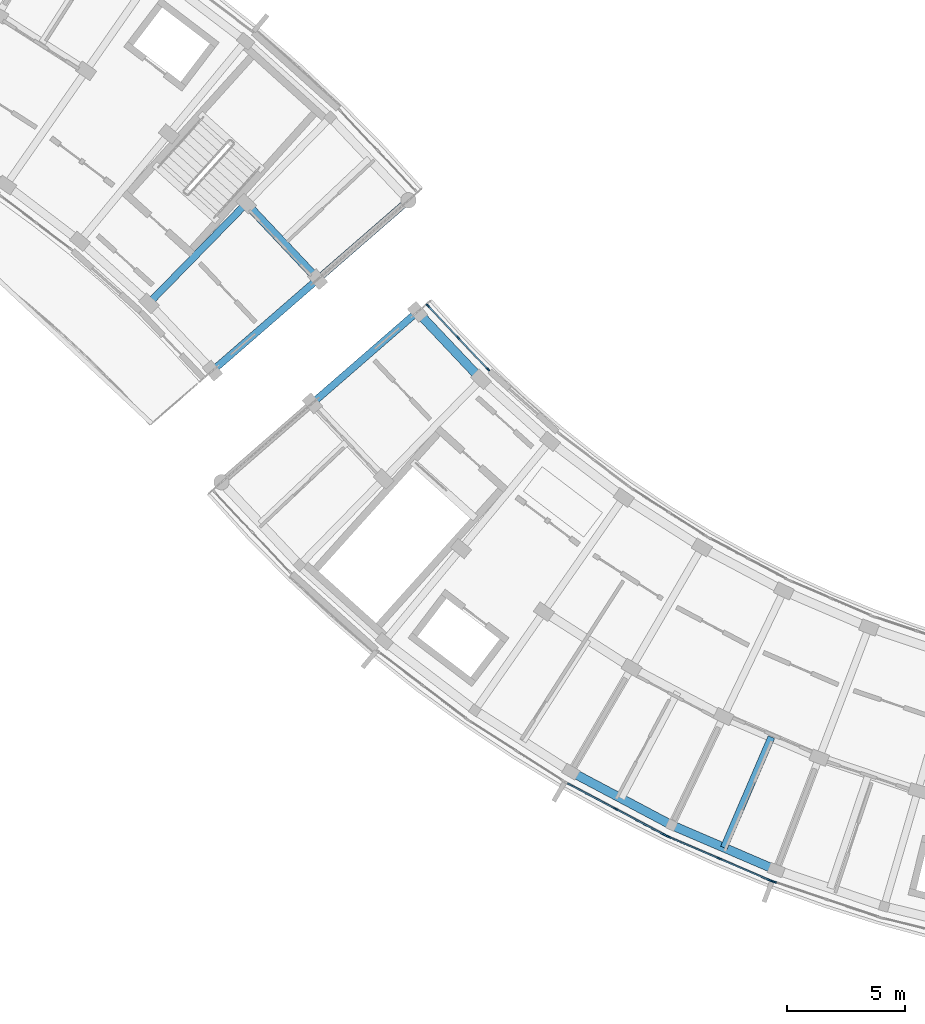
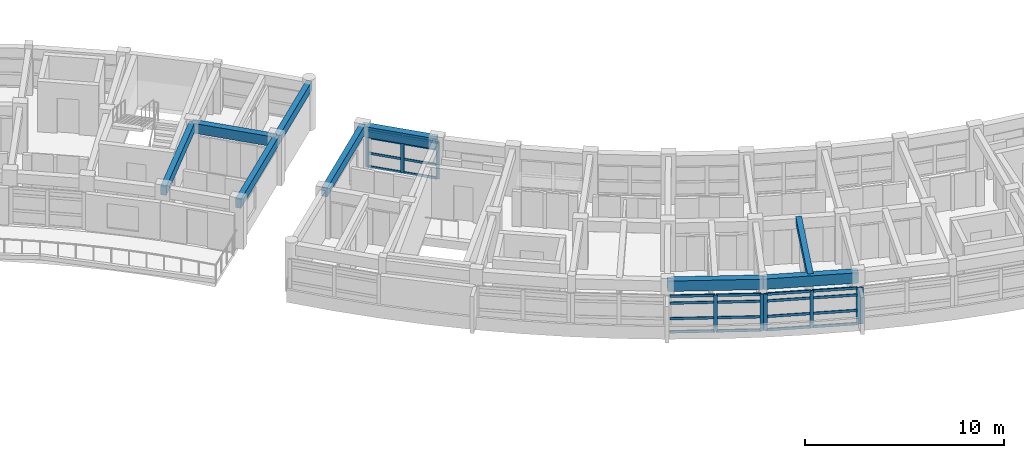
# One storey, part 9 of 38: 33 members, 9 beams, 4 elements without a shape of their own.
"""IFC4 building model written with IfcOpenShell, lengths in metres."""

from ifc_helpers import new_model, si_unit, direction, frame, origin, origin_2d, place, context, subcontext, project, spatial, rectangle, extrude, material, material_profile, profile_set, type_object, element, aggregate, save


model = new_model("IFC4")

# Units and contexts
model_context = context("Model", 3, precision=1e-05, world=origin(), true_north=direction((0.0, 1.0)))
body_context = subcontext(model_context, "Body", "Model", "MODEL_VIEW")
ifc_project = project(units=[si_unit("LENGTHUNIT", "METRE"), si_unit("AREAUNIT", "SQUARE_METRE"), si_unit("VOLUMEUNIT", "CUBIC_METRE"), si_unit("PLANEANGLEUNIT", "RADIAN"), si_unit("MASSUNIT", "GRAM", prefix="KILO")], contexts=[model_context])

# Site, building, storey
site_placement = place(None, origin())
site = spatial("IfcSite", under=ifc_project, at=site_placement, CompositionType="ELEMENT")
building_placement = place(site_placement, origin())
building = spatial("IfcBuilding", under=site, at=building_placement, Name="Zimvara Arc Housing Community", CompositionType="ELEMENT")
storey_placement = place(building_placement, frame((0.0, 0.0, 29.800048828125)))
storey = spatial("IfcBuildingStorey", under=building, at=storey_placement, Name="L09", CompositionType="ELEMENT", Elevation=29.800048828125)

# Beams
ifc_material_1 = material(Name="Concrete C40/50", Category="concrete")
ifc_material_profile_1 = material_profile(ifc_material_1, rectangle(XDim=0.300048828125, YDim=0.449951171875, at=origin_2d()), Name="RC 300x450")
ifc_profile_set_1 = profile_set([ifc_material_profile_1], Name="Concrete C40/50")
beam_type_1 = type_object("IfcBeamType", Name="BM-RC-300x450", PredefinedType="JOIST", material=ifc_profile_set_1)
beam_1_placement = place(storey_placement, frame((104.751953125, 60.473876953125, 2.695068359375), z_axis=(-0.394946561353, -0.918704094731, 0.0), x_axis=(0.918704094731, -0.394946561353, 0.0)))
element("IfcBeam", 1, at=beam_1_placement, inside=storey, type_object=beam_type_1, Name="bm:blkC:L09:joist:b5", PredefinedType="JOIST", context=body_context, shape_type="SweptSolid", body=[
    extrude(rectangle(XDim=0.300048828125, YDim=0.449951171875, at=origin_2d()), origin(), (0.0, 0.0, 1.0), 5.07568359375),
])
ifc_material_2 = material(Name="Concrete C40/50", Category="concrete")
ifc_material_profile_2 = material_profile(ifc_material_2, rectangle(XDim=0.300048828125, YDim=0.550048828125, at=origin_2d()), Name="RC 300x550")
ifc_profile_set_2 = profile_set([ifc_material_profile_2], Name="Concrete C40/50")
beam_type_2 = type_object("IfcBeamType", Name="BM-RC-300x550", PredefinedType="BEAM", material=ifc_profile_set_2)
for number, where, z_axis, x_axis, name in (
    (2, (78.47998046875, 78.784423828125, 2.5849609375), (0.698669844288, 0.715444231707, 0.0), (-0.715444231707, 0.698669844288, 0.0), "bm:blkB:L09:rad:b9:r12"),
    (3, (81.165771484375, 75.938232421875, 2.5849609375), (0.754692223258, 0.656078995362, 0.0), (-0.656078995362, 0.754692223258, 0.0), "bm:blkB:L09:rad:b10:r12"),
):
    element("IfcBeam", number, at=place(storey_placement, frame(where, z_axis=z_axis, x_axis=x_axis)), inside=storey, type_object=beam_type_2, Name=name, PredefinedType="BEAM", context=body_context, shape_type="SweptSolid", body=[
        extrude(rectangle(XDim=0.300048828125, YDim=0.550048828125, at=origin_2d()), origin(), (0.0, 0.0, 1.0), 5.8798828125),
    ])
beam_2_placement = place(storey_placement, frame((85.603271484375, 79.7958984375, 2.5849609375), z_axis=(0.754716217499, 0.656051393599, 0.0), x_axis=(-0.656051393599, 0.754716217499, 0.0)))
element("IfcBeam", 4, at=beam_2_placement, inside=storey, type_object=beam_type_2, Name="bm:blkB:L09:rad:b10:r23", PredefinedType="BEAM", context=body_context, shape_type="SweptSolid", body=[
    extrude(rectangle(XDim=0.300048828125, YDim=0.550048828125, at=origin_2d()), origin(), (0.0, 0.0, 1.0), 5.080078125),
])
beam_3_placement = place(storey_placement, frame((89.814208984375, 78.421630859375, 2.64501953125), z_axis=(-0.754692223258, -0.656078995362, 0.0), x_axis=(0.656078995362, -0.754692223258, 0.0)))
element("IfcBeam", 5, at=beam_3_placement, inside=storey, type_object=beam_type_2, Name="bm:blkC:L09:rad:b0:r12", PredefinedType="BEAM", context=body_context, shape_type="SweptSolid", body=[
    extrude(rectangle(XDim=0.300048828125, YDim=0.550048828125, at=origin_2d()), origin(), (0.0, 0.0, 1.0), 5.8798828125),
])
ifc_material_3 = material(Name="Concrete C40/50", Category="concrete")
ifc_material_profile_3 = material_profile(ifc_material_3, rectangle(XDim=0.35009765625, YDim=0.60009765625, at=origin_2d()), Name="RC 350x600")
ifc_profile_set_3 = profile_set([ifc_material_profile_3], Name="Concrete C40/50")
beam_type_3 = type_object("IfcBeamType", Name="BM-RC-350x600", PredefinedType="BEAM", material=ifc_profile_set_3)
beam_4_placement = place(storey_placement, frame((82.588134765625, 82.9912109375, 2.56005859375), z_axis=(0.686303637813, -0.727315142648, 0.0), x_axis=(0.727315142648, 0.686303637813, 0.0)))
element("IfcBeam", 6, at=beam_4_placement, inside=storey, type_object=beam_type_3, Name="bm:blkB:L09:chord:r2:b9", PredefinedType="BEAM", context=body_context, shape_type="SweptSolid", body=[
    extrude(rectangle(XDim=0.35009765625, YDim=0.60009765625, at=origin_2d()), origin(), (0.0, 0.0, 1.0), 4.393310546875),
])
ifc_material_4 = material(Name="Concrete C40/50", Category="concrete")
ifc_material_profile_4 = material_profile(ifc_material_4, rectangle(XDim=0.3798828125, YDim=0.639892578125, at=origin_2d()), Name="RC 380x640")
ifc_profile_set_4 = profile_set([ifc_material_profile_4], Name="Concrete C40/50")
beam_type_4 = type_object("IfcBeamType", Name="BM-RC-380x640", PredefinedType="BEAM", material=ifc_profile_set_4)
beam_5_placement = place(storey_placement, frame((89.814208984375, 78.421630859375, 2.599853515625), z_axis=(0.686346852505, -0.727274362299, 0.0), x_axis=(0.727274362299, 0.686346852505, 0.0)))
element("IfcBeam", 7, at=beam_5_placement, inside=storey, type_object=beam_type_4, Name="bm:blkC:L09:chord:r1:b0", PredefinedType="BEAM", context=body_context, shape_type="SweptSolid", body=[
    extrude(rectangle(XDim=0.3798828125, YDim=0.639892578125, at=origin_2d()), origin(), (0.0, 0.0, 1.0), 3.9130859375),
])
for number, where, z_axis, x_axis, name in (
    (8, (96.291259765625, 59.012939453125, 2.599853515625), (0.883424523434, -0.468573485587, 0.0), (0.468573485587, 0.883424523434, 0.0), "bm:blkC:L09:chord:r3:b4"),
    (9, (100.538818359375, 56.760009765625, 2.599853515625), (0.918724276228, -0.394899612901, 0.0), (0.394899612901, 0.918724276228, 0.0), "bm:blkC:L09:chord:r3:b5"),
):
    element("IfcBeam", number, at=place(storey_placement, frame(where, z_axis=z_axis, x_axis=x_axis)), inside=storey, type_object=beam_type_4, Name=name, PredefinedType="BEAM", context=body_context, shape_type="SweptSolid", body=[
        extrude(rectangle(XDim=0.3798828125, YDim=0.639892578125, at=origin_2d()), origin(), (0.0, 0.0, 1.0), 4.80810546875),
    ])

# Curtain wall, members
ifc_material_5 = material(Name="Anodised Aluminium AW-6063", Category="aluminium")
curtain_wall_type_1 = type_object("IfcCurtainWallType", Name="CW-SYS-06", PredefinedType="USERDEFINED", material=ifc_material_5)
curtain_wall_1_placement = place(storey_placement, origin())
curtain_wall_1 = element("IfcCurtainWall", 10, at=curtain_wall_1_placement, inside=storey, type_object=curtain_wall_type_1, Name="cw:blkC:L09:in:b0", ObjectType="CURTAIN WALL", PredefinedType="USERDEFINED")
ifc_material_6 = material(Name="Anodised Aluminium AW-6063", Category="aluminium")
ifc_material_profile_5 = material_profile(ifc_material_6, rectangle(XDim=0.06494140625, YDim=0.179931640625, at=origin_2d()), Name="ALU 65x180")
ifc_profile_set_5 = profile_set([ifc_material_profile_5], Name="Anodised Aluminium AW-6063")
member_type_1 = type_object("IfcMemberType", Name="CWM-65x150", PredefinedType="MULLION", material=ifc_profile_set_5)
member_1_placement = place(storey_placement, frame((90.255126953125, 78.682373046875, 0.0), z_axis=(0.0, 0.0, 1.0), x_axis=(0.727293723669, 0.686326336018, 0.0)))
member_1 = element("IfcMember", 11, at=member_1_placement, type_object=member_type_1, Name="CW06 mullion 1", PredefinedType="MULLION", context=body_context, shape_type="SweptSolid", body=[
    extrude(rectangle(XDim=0.06494140625, YDim=0.179931640625, at=origin_2d()), origin(), (0.0, 0.0, 1.0), 2.25),
])
member_2_placement = place(storey_placement, frame((91.5205078125, 77.341552734375, 0.0), z_axis=(0.0, 0.0, 1.0), x_axis=(0.727293723669, 0.686326336018, 0.0)))
member_2 = element("IfcMember", 12, at=member_2_placement, type_object=member_type_1, Name="CW06 mullion 2", PredefinedType="MULLION", context=body_context, shape_type="SweptSolid", body=[
    extrude(rectangle(XDim=0.06494140625, YDim=0.179931640625, at=origin_2d()), origin(), (0.0, 0.0, 1.0), 2.25),
])
member_3_placement = place(storey_placement, frame((92.785888671875, 76.000732421875, 0.0), z_axis=(0.0, 0.0, 1.0), x_axis=(0.727293723669, 0.686326336018, 0.0)))
member_3 = element("IfcMember", 13, at=member_3_placement, type_object=member_type_1, Name="CW06 mullion 3", PredefinedType="MULLION", context=body_context, shape_type="SweptSolid", body=[
    extrude(rectangle(XDim=0.06494140625, YDim=0.179931640625, at=origin_2d()), origin(), (0.0, 0.0, 1.0), 2.25),
])

ifc_material_7 = material(Name="Anodised Aluminium AW-6063", Category="aluminium")
curtain_wall_type_2 = type_object("IfcCurtainWallType", Name="CW-SYS-03", PredefinedType="USERDEFINED", material=ifc_material_7)
curtain_wall_2_placement = place(storey_placement, origin())
curtain_wall_2 = element("IfcCurtainWall", 14, at=curtain_wall_2_placement, inside=storey, type_object=curtain_wall_type_2, Name="cw:blkC:L09:out:b4", ObjectType="CURTAIN WALL", PredefinedType="USERDEFINED")
ifc_material_8 = material(Name="Anodised Aluminium AW-6063", Category="aluminium")
ifc_material_profile_6 = material_profile(ifc_material_8, rectangle(XDim=0.06494140625, YDim=0.195068359375, at=origin_2d()), Name="ALU 65x195")
ifc_profile_set_6 = profile_set([ifc_material_profile_6], Name="Anodised Aluminium AW-6063")
member_type_2 = type_object("IfcMemberType", Name="CWM-65x180", PredefinedType="MULLION", material=ifc_profile_set_6)
member_4_placement = place(storey_placement, frame((98.180908203125, 57.445068359375, 0.0), z_axis=(0.0, 0.0, 1.0), x_axis=(0.468546917761, 0.883438614651, 0.0)))
member_4 = element("IfcMember", 15, at=member_4_placement, type_object=member_type_2, Name="CW03 mullion 2", PredefinedType="MULLION", context=body_context, shape_type="SweptSolid", body=[
    extrude(rectangle(XDim=0.06494140625, YDim=0.195068359375, at=origin_2d()), origin(), (0.0, 0.0, 1.0), 2.25),
])
member_5_placement = place(storey_placement, frame((100.240966796875, 56.3525390625, 0.0), z_axis=(0.0, 0.0, 1.0), x_axis=(0.468546917761, 0.883438614651, 0.0)))
member_5 = element("IfcMember", 16, at=member_5_placement, type_object=member_type_2, Name="CW03 mullion 3", PredefinedType="MULLION", context=body_context, shape_type="SweptSolid", body=[
    extrude(rectangle(XDim=0.06494140625, YDim=0.195068359375, at=origin_2d()), origin(), (0.0, 0.0, 1.0), 2.25),
])

ifc_material_9 = material(Name="Anodised Aluminium AW-6063", Category="aluminium")
curtain_wall_type_3 = type_object("IfcCurtainWallType", Name="CW-SYS-05", PredefinedType="USERDEFINED", material=ifc_material_9)
curtain_wall_3_placement = place(storey_placement, origin())
curtain_wall_3 = element("IfcCurtainWall", 17, at=curtain_wall_3_placement, inside=storey, type_object=curtain_wall_type_3, Name="cw:blkC:L09:out:b5", ObjectType="CURTAIN WALL", PredefinedType="USERDEFINED")
member_6_placement = place(storey_placement, frame((100.40771484375, 56.272705078125, 0.0), z_axis=(0.0, 0.0, 1.0), x_axis=(0.394904211998, 0.918722299363, 0.0)))
member_6 = element("IfcMember", 18, at=member_6_placement, type_object=member_type_2, Name="CW05 mullion 1", PredefinedType="MULLION", context=body_context, shape_type="SweptSolid", body=[
    extrude(rectangle(XDim=0.06494140625, YDim=0.195068359375, at=origin_2d()), origin(), (0.0, 0.0, 1.0), 2.25),
])
member_7_placement = place(storey_placement, frame((102.550048828125, 55.351806640625, 0.0), z_axis=(0.0, 0.0, 1.0), x_axis=(0.394904211998, 0.918722299363, 0.0)))
member_7 = element("IfcMember", 19, at=member_7_placement, type_object=member_type_2, Name="CW05 mullion 2", PredefinedType="MULLION", context=body_context, shape_type="SweptSolid", body=[
    extrude(rectangle(XDim=0.06494140625, YDim=0.195068359375, at=origin_2d()), origin(), (0.0, 0.0, 1.0), 2.25),
])
member_8_placement = place(storey_placement, frame((104.692626953125, 54.430908203125, 0.0), z_axis=(0.0, 0.0, 1.0), x_axis=(0.394904211998, 0.918722299363, 0.0)))
member_8 = element("IfcMember", 20, at=member_8_placement, type_object=member_type_2, Name="CW05 mullion 3", PredefinedType="MULLION", context=body_context, shape_type="SweptSolid", body=[
    extrude(rectangle(XDim=0.06494140625, YDim=0.195068359375, at=origin_2d()), origin(), (0.0, 0.0, 1.0), 2.25),
])

# Curtain wall, member
ifc_material_10 = material(Name="Anodised Aluminium AW-6063", Category="aluminium")
curtain_wall_type_4 = type_object("IfcCurtainWallType", Name="CW-SYS-07", PredefinedType="USERDEFINED", material=ifc_material_10)
curtain_wall_4_placement = place(storey_placement, origin())
curtain_wall_4 = element("IfcCurtainWall", 21, at=curtain_wall_4_placement, inside=storey, type_object=curtain_wall_type_4, Name="cw:blkC:L09:out:b6", ObjectType="CURTAIN WALL", PredefinedType="USERDEFINED")
member_9_placement = place(storey_placement, frame((104.865234375, 54.36474609375, 0.0), z_axis=(0.0, 0.0, 1.0), x_axis=(0.318628583921, 0.947879647164, 0.0)))
member_9 = element("IfcMember", 22, at=member_9_placement, type_object=member_type_2, Name="CW07 mullion 1", PredefinedType="MULLION", context=body_context, shape_type="SweptSolid", body=[
    extrude(rectangle(XDim=0.06494140625, YDim=0.195068359375, at=origin_2d()), origin(), (0.0, 0.0, 1.0), 2.25),
])
aggregate(curtain_wall_4, [member_9])

# Member
ifc_material_11 = material(Name="Anodised Aluminium AW-6063", Category="aluminium")
ifc_material_profile_7 = material_profile(ifc_material_11, rectangle(XDim=0.06494140625, YDim=0.139892578125, at=origin_2d()), Name="ALU 65x140")
ifc_profile_set_7 = profile_set([ifc_material_profile_7], Name="Anodised Aluminium AW-6063")
member_type_3 = type_object("IfcMemberType", Name="CWT-65x120", PredefinedType="USERDEFINED", material=ifc_profile_set_7)
member_10_placement = place(storey_placement, frame((90.27734375, 78.65869140625, 0.032470703125), z_axis=(0.686430047978, -0.72719583967, 0.0), x_axis=(0.72719583967, 0.686430047978, 0.0)))
member_10 = element("IfcMember", 23, at=member_10_placement, type_object=member_type_3, Name="CW06 transom 1.1", ObjectType="TRANSOM", PredefinedType="USERDEFINED", context=body_context, shape_type="SweptSolid", body=[
    extrude(rectangle(XDim=0.06494140625, YDim=0.139892578125, at=origin_2d()), origin(), (0.0, 0.0, 1.0), 1.77880859375),
])

member_11_placement = place(storey_placement, frame((90.27734375, 78.65869140625, 0.849853515625), z_axis=(0.686430047978, -0.72719583967, 0.0), x_axis=(0.72719583967, 0.686430047978, 0.0)))
member_11 = element("IfcMember", 24, at=member_11_placement, type_object=member_type_3, Name="CW06 transom 1.2", ObjectType="TRANSOM", PredefinedType="USERDEFINED", context=body_context, shape_type="SweptSolid", body=[
    extrude(rectangle(XDim=0.06494140625, YDim=0.139892578125, at=origin_2d()), origin(), (0.0, 0.0, 1.0), 1.77880859375),
])

member_12_placement = place(storey_placement, frame((90.27734375, 78.65869140625, 1.800048828125), z_axis=(0.686430047978, -0.72719583967, 0.0), x_axis=(0.72719583967, 0.686430047978, 0.0)))
member_12 = element("IfcMember", 25, at=member_12_placement, type_object=member_type_3, Name="CW06 transom 1.3", ObjectType="TRANSOM", PredefinedType="USERDEFINED", context=body_context, shape_type="SweptSolid", body=[
    extrude(rectangle(XDim=0.06494140625, YDim=0.139892578125, at=origin_2d()), origin(), (0.0, 0.0, 1.0), 1.77880859375),
])

member_13_placement = place(storey_placement, frame((90.27734375, 78.65869140625, 2.217529296875), z_axis=(0.686430047978, -0.72719583967, 0.0), x_axis=(0.72719583967, 0.686430047978, 0.0)))
member_13 = element("IfcMember", 26, at=member_13_placement, type_object=member_type_3, Name="CW06 transom 1.4", ObjectType="TRANSOM", PredefinedType="USERDEFINED", context=body_context, shape_type="SweptSolid", body=[
    extrude(rectangle(XDim=0.06494140625, YDim=0.139892578125, at=origin_2d()), origin(), (0.0, 0.0, 1.0), 1.77880859375),
])

member_14_placement = place(storey_placement, frame((91.542724609375, 77.31787109375, 0.032470703125), z_axis=(0.686357453501, -0.72726435773, 0.0), x_axis=(0.72726435773, 0.686357453501, 0.0)))
member_14 = element("IfcMember", 27, at=member_14_placement, type_object=member_type_3, Name="CW06 transom 2.1", ObjectType="TRANSOM", PredefinedType="USERDEFINED", context=body_context, shape_type="SweptSolid", body=[
    extrude(rectangle(XDim=0.06494140625, YDim=0.139892578125, at=origin_2d()), origin(), (0.0, 0.0, 1.0), 1.778564453125),
])

member_15_placement = place(storey_placement, frame((91.542724609375, 77.31787109375, 0.849853515625), z_axis=(0.686357453501, -0.72726435773, 0.0), x_axis=(0.72726435773, 0.686357453501, 0.0)))
member_15 = element("IfcMember", 28, at=member_15_placement, type_object=member_type_3, Name="CW06 transom 2.2", ObjectType="TRANSOM", PredefinedType="USERDEFINED", context=body_context, shape_type="SweptSolid", body=[
    extrude(rectangle(XDim=0.06494140625, YDim=0.139892578125, at=origin_2d()), origin(), (0.0, 0.0, 1.0), 1.778564453125),
])

member_16_placement = place(storey_placement, frame((91.542724609375, 77.31787109375, 1.800048828125), z_axis=(0.686357453501, -0.72726435773, 0.0), x_axis=(0.72726435773, 0.686357453501, 0.0)))
member_16 = element("IfcMember", 29, at=member_16_placement, type_object=member_type_3, Name="CW06 transom 2.3", ObjectType="TRANSOM", PredefinedType="USERDEFINED", context=body_context, shape_type="SweptSolid", body=[
    extrude(rectangle(XDim=0.06494140625, YDim=0.139892578125, at=origin_2d()), origin(), (0.0, 0.0, 1.0), 1.778564453125),
])

member_17_placement = place(storey_placement, frame((91.542724609375, 77.31787109375, 2.217529296875), z_axis=(0.686357453501, -0.72726435773, 0.0), x_axis=(0.72726435773, 0.686357453501, 0.0)))
member_17 = element("IfcMember", 30, at=member_17_placement, type_object=member_type_3, Name="CW06 transom 2.4", ObjectType="TRANSOM", PredefinedType="USERDEFINED", context=body_context, shape_type="SweptSolid", body=[
    extrude(rectangle(XDim=0.06494140625, YDim=0.139892578125, at=origin_2d()), origin(), (0.0, 0.0, 1.0), 1.778564453125),
])

aggregate(curtain_wall_1, [member_1, member_2, member_3, member_10, member_11, member_12, member_13, member_14, member_15, member_16, member_17])

ifc_material_12 = material(Name="Anodised Aluminium AW-6063", Category="aluminium")
ifc_material_profile_8 = material_profile(ifc_material_12, rectangle(XDim=0.06494140625, YDim=0.155029296875, at=origin_2d()), Name="ALU 65x155")
ifc_profile_set_8 = profile_set([ifc_material_profile_8], Name="Anodised Aluminium AW-6063")
member_type_4 = type_object("IfcMemberType", Name="CWT-65x140", PredefinedType="USERDEFINED", material=ifc_profile_set_8)
member_18_placement = place(storey_placement, frame((96.1494140625, 58.5224609375, 0.032470703125), z_axis=(0.883465479137, -0.468496261642, 0.0), x_axis=(0.468496261642, 0.883465479137, 0.0)))
member_18 = element("IfcMember", 31, at=member_18_placement, type_object=member_type_4, Name="CW03 transom 1.1", ObjectType="TRANSOM", PredefinedType="USERDEFINED", context=body_context, shape_type="SweptSolid", body=[
    extrude(rectangle(XDim=0.06494140625, YDim=0.155029296875, at=origin_2d()), origin(), (0.0, 0.0, 1.0), 2.266845703125),
])

member_19_placement = place(storey_placement, frame((96.1494140625, 58.5224609375, 0.849853515625), z_axis=(0.883465479137, -0.468496261642, 0.0), x_axis=(0.468496261642, 0.883465479137, 0.0)))
member_19 = element("IfcMember", 32, at=member_19_placement, type_object=member_type_4, Name="CW03 transom 1.2", ObjectType="TRANSOM", PredefinedType="USERDEFINED", context=body_context, shape_type="SweptSolid", body=[
    extrude(rectangle(XDim=0.06494140625, YDim=0.155029296875, at=origin_2d()), origin(), (0.0, 0.0, 1.0), 2.266845703125),
])

member_20_placement = place(storey_placement, frame((96.1494140625, 58.5224609375, 1.800048828125), z_axis=(0.883465479137, -0.468496261642, 0.0), x_axis=(0.468496261642, 0.883465479137, 0.0)))
member_20 = element("IfcMember", 33, at=member_20_placement, type_object=member_type_4, Name="CW03 transom 1.3", ObjectType="TRANSOM", PredefinedType="USERDEFINED", context=body_context, shape_type="SweptSolid", body=[
    extrude(rectangle(XDim=0.06494140625, YDim=0.155029296875, at=origin_2d()), origin(), (0.0, 0.0, 1.0), 2.266845703125),
])

member_21_placement = place(storey_placement, frame((96.1494140625, 58.5224609375, 2.217529296875), z_axis=(0.883465479137, -0.468496261642, 0.0), x_axis=(0.468496261642, 0.883465479137, 0.0)))
member_21 = element("IfcMember", 34, at=member_21_placement, type_object=member_type_4, Name="CW03 transom 1.4", ObjectType="TRANSOM", PredefinedType="USERDEFINED", context=body_context, shape_type="SweptSolid", body=[
    extrude(rectangle(XDim=0.06494140625, YDim=0.155029296875, at=origin_2d()), origin(), (0.0, 0.0, 1.0), 2.266845703125),
])

member_22_placement = place(storey_placement, frame((98.209716796875, 57.429931640625, 0.032470703125), z_axis=(0.883420900208, -0.468580316568, 0.0), x_axis=(0.468580316568, 0.883420900208, 0.0)))
member_22 = element("IfcMember", 35, at=member_22_placement, type_object=member_type_4, Name="CW03 transom 2.1", ObjectType="TRANSOM", PredefinedType="USERDEFINED", context=body_context, shape_type="SweptSolid", body=[
    extrude(rectangle(XDim=0.06494140625, YDim=0.155029296875, at=origin_2d()), origin(), (0.0, 0.0, 1.0), 2.266845703125),
])

member_23_placement = place(storey_placement, frame((98.209716796875, 57.429931640625, 0.849853515625), z_axis=(0.883420900208, -0.468580316568, 0.0), x_axis=(0.468580316568, 0.883420900208, 0.0)))
member_23 = element("IfcMember", 36, at=member_23_placement, type_object=member_type_4, Name="CW03 transom 2.2", ObjectType="TRANSOM", PredefinedType="USERDEFINED", context=body_context, shape_type="SweptSolid", body=[
    extrude(rectangle(XDim=0.06494140625, YDim=0.155029296875, at=origin_2d()), origin(), (0.0, 0.0, 1.0), 2.266845703125),
])

member_24_placement = place(storey_placement, frame((98.209716796875, 57.429931640625, 1.800048828125), z_axis=(0.883420900208, -0.468580316568, 0.0), x_axis=(0.468580316568, 0.883420900208, 0.0)))
member_24 = element("IfcMember", 37, at=member_24_placement, type_object=member_type_4, Name="CW03 transom 2.3", ObjectType="TRANSOM", PredefinedType="USERDEFINED", context=body_context, shape_type="SweptSolid", body=[
    extrude(rectangle(XDim=0.06494140625, YDim=0.155029296875, at=origin_2d()), origin(), (0.0, 0.0, 1.0), 2.266845703125),
])

member_25_placement = place(storey_placement, frame((98.209716796875, 57.429931640625, 2.217529296875), z_axis=(0.883420900208, -0.468580316568, 0.0), x_axis=(0.468580316568, 0.883420900208, 0.0)))
member_25 = element("IfcMember", 38, at=member_25_placement, type_object=member_type_4, Name="CW03 transom 2.4", ObjectType="TRANSOM", PredefinedType="USERDEFINED", context=body_context, shape_type="SweptSolid", body=[
    extrude(rectangle(XDim=0.06494140625, YDim=0.155029296875, at=origin_2d()), origin(), (0.0, 0.0, 1.0), 2.266845703125),
])

aggregate(curtain_wall_2, [member_4, member_5, member_18, member_19, member_20, member_21, member_22, member_23, member_24, member_25])

member_26_placement = place(storey_placement, frame((100.4375, 56.259765625, 0.032470703125), z_axis=(0.918721157939, -0.394906867444, 0.0), x_axis=(0.394906867444, 0.918721157939, 0.0)))
member_26 = element("IfcMember", 39, at=member_26_placement, type_object=member_type_4, Name="CW05 transom 1.1", ObjectType="TRANSOM", PredefinedType="USERDEFINED", context=body_context, shape_type="SweptSolid", body=[
    extrude(rectangle(XDim=0.06494140625, YDim=0.155029296875, at=origin_2d()), origin(), (0.0, 0.0, 1.0), 2.26708984375),
])

member_27_placement = place(storey_placement, frame((100.4375, 56.259765625, 0.849853515625), z_axis=(0.918721157939, -0.394906867444, 0.0), x_axis=(0.394906867444, 0.918721157939, 0.0)))
member_27 = element("IfcMember", 40, at=member_27_placement, type_object=member_type_4, Name="CW05 transom 1.2", ObjectType="TRANSOM", PredefinedType="USERDEFINED", context=body_context, shape_type="SweptSolid", body=[
    extrude(rectangle(XDim=0.06494140625, YDim=0.155029296875, at=origin_2d()), origin(), (0.0, 0.0, 1.0), 2.26708984375),
])

member_28_placement = place(storey_placement, frame((100.4375, 56.259765625, 1.800048828125), z_axis=(0.918721157939, -0.394906867444, 0.0), x_axis=(0.394906867444, 0.918721157939, 0.0)))
member_28 = element("IfcMember", 41, at=member_28_placement, type_object=member_type_4, Name="CW05 transom 1.3", ObjectType="TRANSOM", PredefinedType="USERDEFINED", context=body_context, shape_type="SweptSolid", body=[
    extrude(rectangle(XDim=0.06494140625, YDim=0.155029296875, at=origin_2d()), origin(), (0.0, 0.0, 1.0), 2.26708984375),
])

member_29_placement = place(storey_placement, frame((100.4375, 56.259765625, 2.217529296875), z_axis=(0.918721157939, -0.394906867444, 0.0), x_axis=(0.394906867444, 0.918721157939, 0.0)))
member_29 = element("IfcMember", 42, at=member_29_placement, type_object=member_type_4, Name="CW05 transom 1.4", ObjectType="TRANSOM", PredefinedType="USERDEFINED", context=body_context, shape_type="SweptSolid", body=[
    extrude(rectangle(XDim=0.06494140625, YDim=0.155029296875, at=origin_2d()), origin(), (0.0, 0.0, 1.0), 2.26708984375),
])

member_30_placement = place(storey_placement, frame((102.580078125, 55.3388671875, 0.032470703125), z_axis=(0.918704360712, -0.394945942641, 0.0), x_axis=(0.394945942641, 0.918704360712, 0.0)))
member_30 = element("IfcMember", 43, at=member_30_placement, type_object=member_type_4, Name="CW05 transom 2.1", ObjectType="TRANSOM", PredefinedType="USERDEFINED", context=body_context, shape_type="SweptSolid", body=[
    extrude(rectangle(XDim=0.06494140625, YDim=0.155029296875, at=origin_2d()), origin(), (0.0, 0.0, 1.0), 2.266845703125),
])

member_31_placement = place(storey_placement, frame((102.580078125, 55.3388671875, 0.849853515625), z_axis=(0.918704360712, -0.394945942641, 0.0), x_axis=(0.394945942641, 0.918704360712, 0.0)))
member_31 = element("IfcMember", 44, at=member_31_placement, type_object=member_type_4, Name="CW05 transom 2.2", ObjectType="TRANSOM", PredefinedType="USERDEFINED", context=body_context, shape_type="SweptSolid", body=[
    extrude(rectangle(XDim=0.06494140625, YDim=0.155029296875, at=origin_2d()), origin(), (0.0, 0.0, 1.0), 2.266845703125),
])

member_32_placement = place(storey_placement, frame((102.580078125, 55.3388671875, 1.800048828125), z_axis=(0.918704360712, -0.394945942641, 0.0), x_axis=(0.394945942641, 0.918704360712, 0.0)))
member_32 = element("IfcMember", 45, at=member_32_placement, type_object=member_type_4, Name="CW05 transom 2.3", ObjectType="TRANSOM", PredefinedType="USERDEFINED", context=body_context, shape_type="SweptSolid", body=[
    extrude(rectangle(XDim=0.06494140625, YDim=0.155029296875, at=origin_2d()), origin(), (0.0, 0.0, 1.0), 2.266845703125),
])

member_33_placement = place(storey_placement, frame((102.580078125, 55.3388671875, 2.217529296875), z_axis=(0.918704360712, -0.394945942641, 0.0), x_axis=(0.394945942641, 0.918704360712, 0.0)))
member_33 = element("IfcMember", 46, at=member_33_placement, type_object=member_type_4, Name="CW05 transom 2.4", ObjectType="TRANSOM", PredefinedType="USERDEFINED", context=body_context, shape_type="SweptSolid", body=[
    extrude(rectangle(XDim=0.06494140625, YDim=0.155029296875, at=origin_2d()), origin(), (0.0, 0.0, 1.0), 2.266845703125),
])

aggregate(curtain_wall_3, [member_6, member_7, member_8, member_26, member_27, member_28, member_29, member_30, member_31, member_32, member_33])

save(model, "model.ifc")
